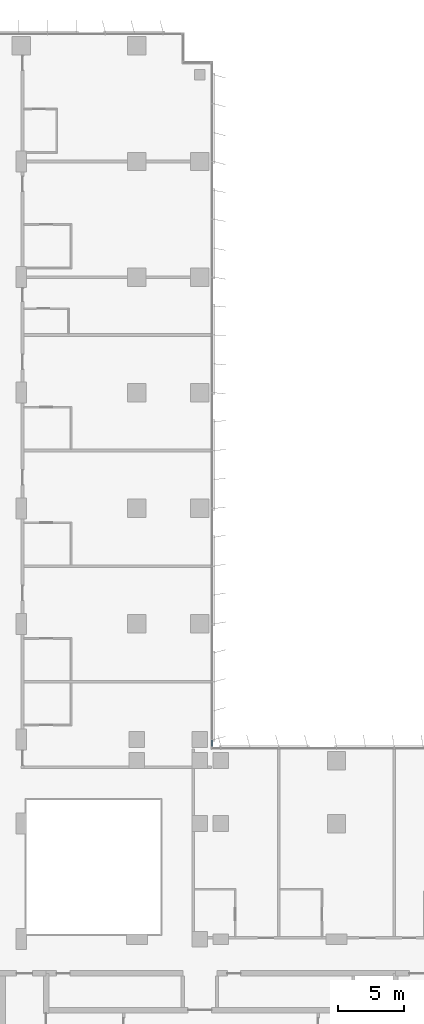
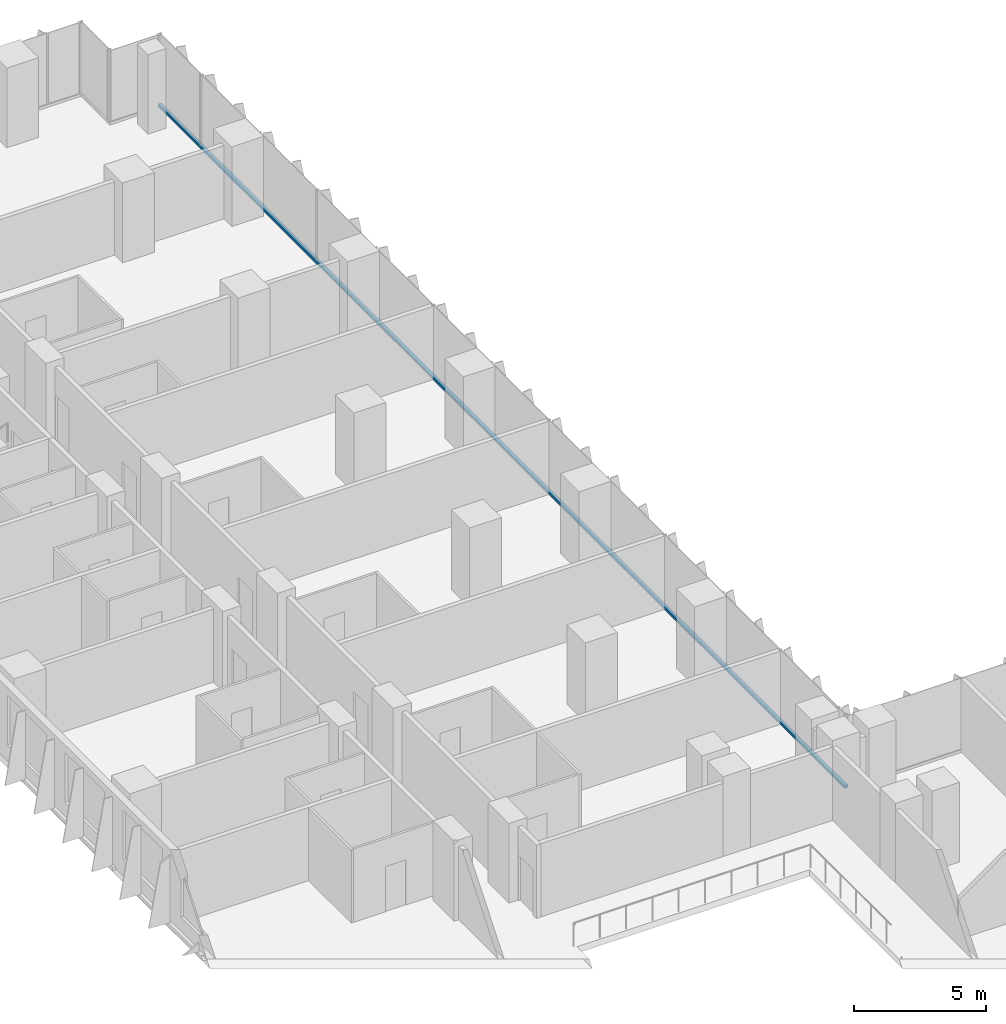
# One storey, part 6 of 24: 1 member, 1 element without a shape of its own.
"""IFC4 building model written with IfcOpenShell, lengths in metres."""

from ifc_helpers import new_model, si_unit, direction, frame, origin, origin_2d, place, context, subcontext, project, spatial, rectangle, extrude, material, material_profile, profile_set, type_object, element, aggregate, save


model = new_model("IFC4")

# Units and contexts
model_context = context("Model", 3, precision=1e-05, world=origin(), true_north=direction((0.0, 1.0)))
body_context = subcontext(model_context, "Body", "Model", "MODEL_VIEW")
ifc_project = project(units=[si_unit("LENGTHUNIT", "METRE"), si_unit("AREAUNIT", "SQUARE_METRE"), si_unit("VOLUMEUNIT", "CUBIC_METRE"), si_unit("PLANEANGLEUNIT", "RADIAN"), si_unit("MASSUNIT", "GRAM", prefix="KILO")], contexts=[model_context])

# Site, building, storey
site_placement = place(None, origin())
site = spatial("IfcSite", under=ifc_project, at=site_placement, CompositionType="ELEMENT")
building_placement = place(site_placement, origin())
building = spatial("IfcBuilding", under=site, at=building_placement, Name="Kemantara Hotel Tower", CompositionType="ELEMENT")
storey_placement = place(building_placement, frame((0.0, 0.0, 48.800048828125)))
storey = spatial("IfcBuildingStorey", under=building, at=storey_placement, Name="L10", CompositionType="ELEMENT", Elevation=48.800048828125)

# Curtain wall, member
ifc_material_1 = material(Name="Low-E tinted double insulated glass 36 mm", Category="glass")
curtain_wall_type = type_object("IfcCurtainWallType", Name="TOWER CURTAIN WALL, FRONT FACES", PredefinedType="USERDEFINED", material=ifc_material_1)
curtain_wall_placement = place(storey_placement, origin())
curtain_wall = element("IfcCurtainWall", 1, at=curtain_wall_placement, inside=storey, type_object=curtain_wall_type, Name="CW4 L10 T1-R08-1", ObjectType="TOWER CURTAIN WALL, FRONT FACES", PredefinedType="USERDEFINED")
ifc_material_2 = material(Name="Aluminium 6063-T6 bronze anodised", Category="aluminium")
ifc_material_profile = material_profile(ifc_material_2, rectangle(XDim=0.14990234375, YDim=0.1201171875, at=origin_2d()), Name="TOWER CURTAIN WALL, FRONT FACES TRANSOM")
ifc_profile_set = profile_set([ifc_material_profile], Name="Aluminium 6063-T6 bronze anodised")
member_type = type_object("IfcMemberType", Name="TOWER CURTAIN WALL, FRONT FACES TRANSOM", PredefinedType="USERDEFINED", material=ifc_profile_set)
member_placement = place(storey_placement, frame((26.72509765625, 26.800048828125, 0.06005859375), z_axis=(0.0, 1.0, 0.0), x_axis=(-1.0, 0.0, 0.0)))
member = element("IfcMember", 2, at=member_placement, type_object=member_type, Name="CW4 sill transom T1-R08-1", ObjectType="TRANSOM", PredefinedType="USERDEFINED", context=body_context, shape_type="SweptSolid", body=[
    extrude(rectangle(XDim=0.14990234375, YDim=0.1201171875, at=origin_2d()), origin(), (0.0, 0.0, 1.0), 52.199951171875),
])
aggregate(curtain_wall, [member])

save(model, "model.ifc")
